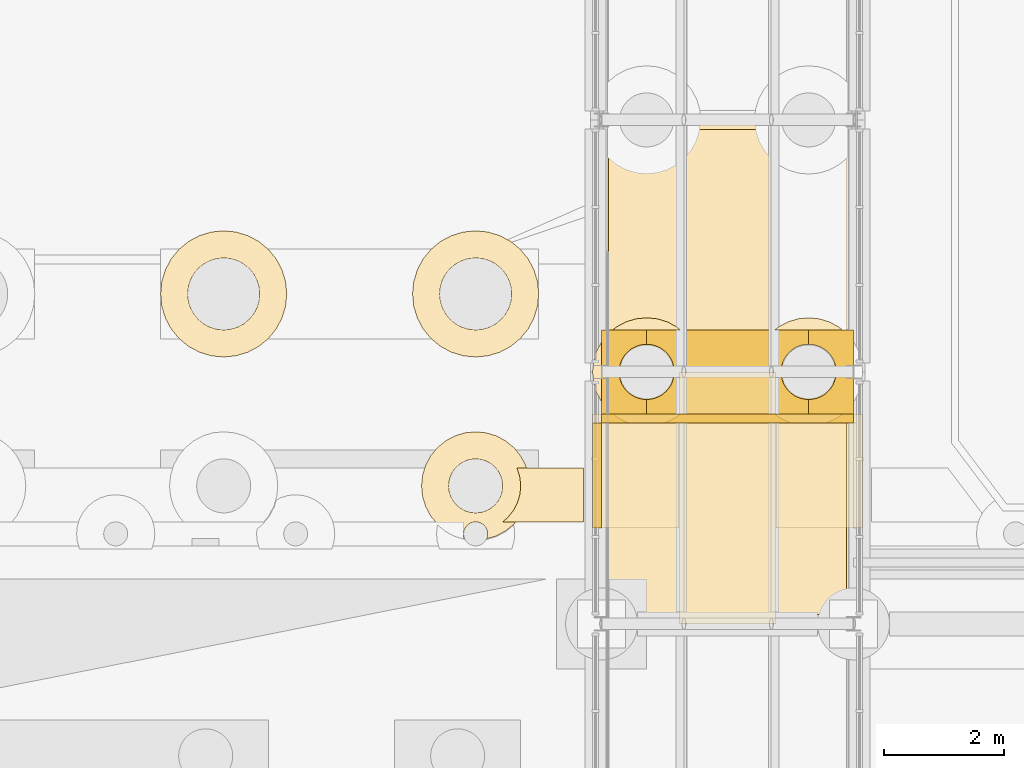
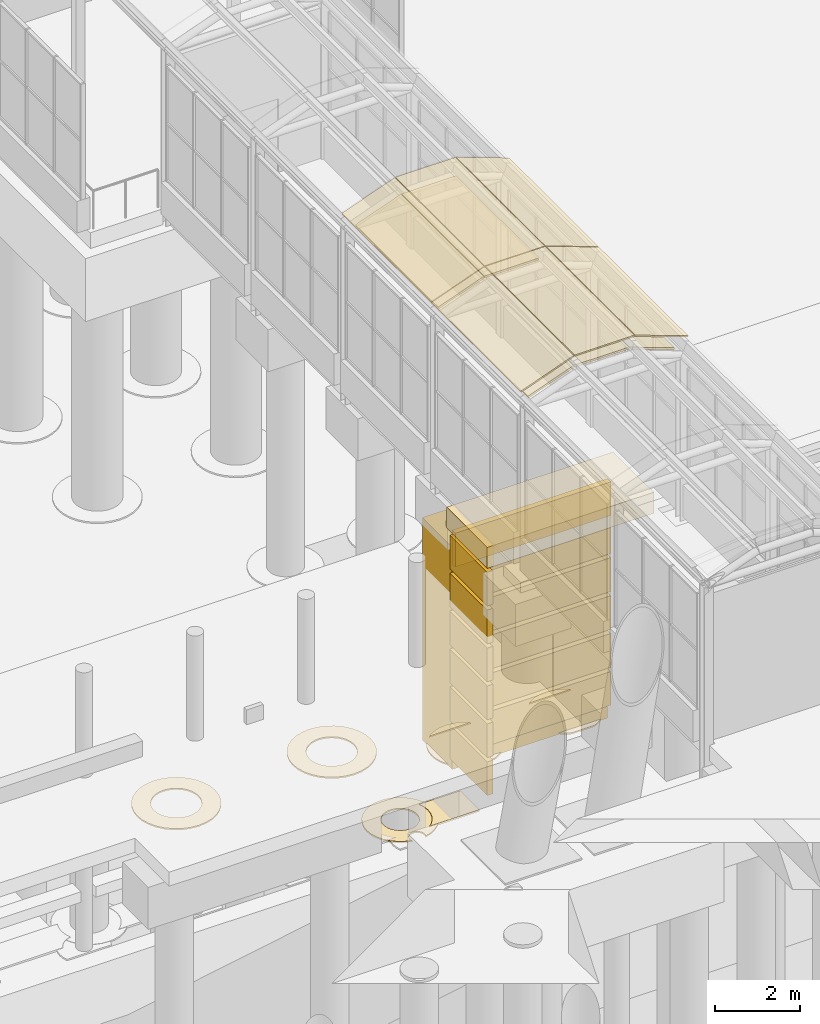
# One storey, part 187 of 222: 36 coverings.
"""IFC4 building model written with IfcOpenShell, lengths in metres."""

from ifc_helpers import new_model, si_unit, direction, frame, origin, place, context, subcontext, project, spatial, polyline, outline, extrude, material, layer, layer_set, type_object, element, save


model = new_model("IFC4")

# Units and contexts
model_context = context("Model", 3, precision=1e-05, world=origin(), true_north=direction((0.0, 1.0)))
body_context = subcontext(model_context, "Body", "Model", "MODEL_VIEW")
ifc_project = project(units=[si_unit("LENGTHUNIT", "METRE"), si_unit("AREAUNIT", "SQUARE_METRE"), si_unit("VOLUMEUNIT", "CUBIC_METRE"), si_unit("PLANEANGLEUNIT", "RADIAN"), si_unit("MASSUNIT", "GRAM", prefix="KILO")], contexts=[model_context])

# Site, building, storey
site_placement = place(None, origin())
site = spatial("IfcSite", under=ifc_project, at=site_placement, CompositionType="ELEMENT")
building_placement = place(site_placement, origin())
building = spatial("IfcBuilding", under=site, at=building_placement, Name="Sava Quay Ferry Terminal", CompositionType="ELEMENT")
storey_placement = place(building_placement, origin())
storey = spatial("IfcBuildingStorey", under=building, at=storey_placement, Name="L00", CompositionType="ELEMENT", Elevation=0.0)

# Coverings
ifc_material_1 = material(Name="Limestone ashlar", Category="masonry")
ifc_layer_1 = layer(ifc_material_1, 6.35009765625)
ifc_layer_set_1 = layer_set([ifc_layer_1], Name="Limestone ashlar")
covering_type_1 = type_object("IfcCoveringType", Name="Bridge abutment pier 1.65 m", PredefinedType="CLADDING", material=ifc_layer_set_1)
covering_1_placement = place(storey_placement, frame((0.0, 0.0, -8.0)))
element("IfcCovering", 1, at=covering_1_placement, inside=storey, type_object=covering_type_1, Name="Bridge abutment pier", PredefinedType="CLADDING", context=body_context, shape_type="SweptSolid", body=[
    extrude(outline(polyline([(75.60009765625, 122.5), (75.60009765625, 121.10009765625), (76.35009765625, 121.10009765625), (76.35009765625, 121.340087890625), (76.304931640625, 121.342041015625), (76.260009765625, 121.34912109375), (76.216064453125, 121.360107421875), (76.174072265625, 121.375), (76.133056640625, 121.39404296875), (76.093994140625, 121.41796875), (76.05810546875, 121.444091796875), (76.02490234375, 121.47509765625), (75.993896484375, 121.508056640625), (75.968017578125, 121.5439453125), (75.944091796875, 121.5830078125), (75.925048828125, 121.6240234375), (75.909912109375, 121.666015625), (75.89892578125, 121.7099609375), (75.89208984375, 121.7548828125), (75.889892578125, 121.800048828125), (75.89208984375, 121.844970703125), (75.89892578125, 121.889892578125), (75.909912109375, 121.93408203125), (75.925048828125, 121.97607421875), (75.944091796875, 122.01708984375), (75.968017578125, 122.055908203125), (75.993896484375, 122.092041015625), (76.02490234375, 122.125), (76.05810546875, 122.156005859375), (76.093994140625, 122.181884765625), (76.133056640625, 122.2060546875), (76.174072265625, 122.22509765625), (76.216064453125, 122.239990234375), (76.260009765625, 122.2509765625), (76.304931640625, 122.258056640625), (76.35009765625, 122.260009765625), (76.35009765625, 122.5), (75.60009765625, 122.5)])), origin(), (0.0, 0.0, 1.0), 6.35009765625),
])
covering_2_placement = place(storey_placement, frame((0.0, 0.0, -8.0)))
element("IfcCovering", 2, at=covering_2_placement, inside=storey, type_object=covering_type_1, Name="Bridge abutment pier", PredefinedType="CLADDING", context=body_context, shape_type="SweptSolid", body=[
    extrude(outline(polyline([(76.35009765625, 121.10009765625), (79.050048828125, 121.10009765625), (79.050048828125, 121.340087890625), (79.0048828125, 121.342041015625), (78.9599609375, 121.34912109375), (78.916015625, 121.360107421875), (78.8740234375, 121.375), (78.8330078125, 121.39404296875), (78.7939453125, 121.41796875), (78.758056640625, 121.444091796875), (78.72509765625, 121.47509765625), (78.694091796875, 121.508056640625), (78.66796875, 121.5439453125), (78.64404296875, 121.5830078125), (78.625, 121.6240234375), (78.610107421875, 121.666015625), (78.59912109375, 121.7099609375), (78.592041015625, 121.7548828125), (78.590087890625, 121.800048828125), (78.592041015625, 121.844970703125), (78.59912109375, 121.889892578125), (78.610107421875, 121.93408203125), (78.625, 121.97607421875), (78.64404296875, 122.01708984375), (78.66796875, 122.055908203125), (78.694091796875, 122.092041015625), (78.72509765625, 122.125), (78.758056640625, 122.156005859375), (78.7939453125, 122.181884765625), (78.8330078125, 122.2060546875), (78.8740234375, 122.22509765625), (78.916015625, 122.239990234375), (78.9599609375, 122.2509765625), (79.0048828125, 122.258056640625), (79.050048828125, 122.260009765625), (79.050048828125, 122.5), (76.35009765625, 122.5), (76.35009765625, 122.260009765625), (76.39501953125, 122.258056640625), (76.43994140625, 122.2509765625), (76.48388671875, 122.239990234375), (76.52587890625, 122.22509765625), (76.56689453125, 122.2060546875), (76.60595703125, 122.181884765625), (76.64208984375, 122.156005859375), (76.675048828125, 122.125), (76.7060546875, 122.092041015625), (76.73193359375, 122.055908203125), (76.756103515625, 122.01708984375), (76.77490234375, 121.97607421875), (76.7900390625, 121.93408203125), (76.801025390625, 121.889892578125), (76.80810546875, 121.844970703125), (76.81005859375, 121.800048828125), (76.80810546875, 121.7548828125), (76.801025390625, 121.7099609375), (76.7900390625, 121.666015625), (76.77490234375, 121.6240234375), (76.756103515625, 121.5830078125), (76.73193359375, 121.5439453125), (76.7060546875, 121.508056640625), (76.675048828125, 121.47509765625), (76.64208984375, 121.444091796875), (76.60595703125, 121.41796875), (76.56689453125, 121.39404296875), (76.52587890625, 121.375), (76.48388671875, 121.360107421875), (76.43994140625, 121.34912109375), (76.39501953125, 121.342041015625), (76.35009765625, 121.340087890625), (76.35009765625, 121.10009765625)])), origin(), (0.0, 0.0, 1.0), 6.35009765625),
])
covering_3_placement = place(storey_placement, frame((0.0, 0.0, -8.0)))
element("IfcCovering", 3, at=covering_3_placement, inside=storey, type_object=covering_type_1, Name="Bridge abutment pier", PredefinedType="CLADDING", context=body_context, shape_type="SweptSolid", body=[
    extrude(outline(polyline([(79.800048828125, 121.10009765625), (79.800048828125, 122.5), (79.050048828125, 122.5), (79.050048828125, 122.260009765625), (79.094970703125, 122.258056640625), (79.139892578125, 122.2509765625), (79.18408203125, 122.239990234375), (79.22607421875, 122.22509765625), (79.26708984375, 122.2060546875), (79.305908203125, 122.181884765625), (79.342041015625, 122.156005859375), (79.375, 122.125), (79.406005859375, 122.092041015625), (79.431884765625, 122.055908203125), (79.4560546875, 122.01708984375), (79.47509765625, 121.97607421875), (79.489990234375, 121.93408203125), (79.5009765625, 121.889892578125), (79.508056640625, 121.844970703125), (79.510009765625, 121.800048828125), (79.508056640625, 121.7548828125), (79.5009765625, 121.7099609375), (79.489990234375, 121.666015625), (79.47509765625, 121.6240234375), (79.4560546875, 121.5830078125), (79.431884765625, 121.5439453125), (79.406005859375, 121.508056640625), (79.375, 121.47509765625), (79.342041015625, 121.444091796875), (79.305908203125, 121.41796875), (79.26708984375, 121.39404296875), (79.22607421875, 121.375), (79.18408203125, 121.360107421875), (79.139892578125, 121.34912109375), (79.094970703125, 121.342041015625), (79.050048828125, 121.340087890625), (79.050048828125, 121.10009765625), (79.800048828125, 121.10009765625)])), origin(), (0.0, 0.0, 1.0), 6.35009765625),
])
ifc_material_2 = material(Name="Glulam GL28h", Category="wood")
ifc_layer_2 = layer(ifc_material_2, 0.06005859375)
ifc_layer_set_2 = layer_set([ifc_layer_2], Name="Glulam GL28h")
covering_type_2 = type_object("IfcCoveringType", Name="Glulam soffit lining 60", PredefinedType="CEILING", material=ifc_layer_set_2)
covering_4_placement = place(storey_placement, frame((75.71728515625, 117.760009765625, 4.645751953125), z_axis=(-0.342028329159, 0.0, 0.939689641346), x_axis=(0.939689641346, 0.0, 0.342028329159)))
element("IfcCovering", 4, at=covering_4_placement, inside=storey, type_object=covering_type_2, Name="Boarding gallery B2 timber soffit lining bay 3 facet 1", PredefinedType="CEILING", context=body_context, shape_type="SweptSolid", body=[
    extrude(outline(polyline([(0.0, 0.0), (1.3055444975084805, 0.0), (1.3055444975084805, 3.8798828125), (0.0, 3.8798828125), (0.0, 0.0)])), origin(), (0.0, 0.0, -1.0), 0.06005859375),
])
covering_5_placement = place(storey_placement, frame((76.963623046875, 117.760009765625, 5.095703125), z_axis=(0.0, 0.0, 1.0), x_axis=(1.0, 0.0, 0.0)))
element("IfcCovering", 5, at=covering_5_placement, inside=storey, type_object=covering_type_2, Name="Boarding gallery B2 timber soffit lining bay 3 facet 2", PredefinedType="CEILING", context=body_context, shape_type="SweptSolid", body=[
    extrude(outline(polyline([(0.0, 0.0), (1.472900390625, 0.0), (1.472900390625, 3.8798828125), (0.0, 3.8798828125), (0.0, 0.0)])), origin(), (0.0, 0.0, -1.0), 0.06005859375),
])
covering_6_placement = place(storey_placement, frame((78.455810546875, 117.760009765625, 5.09228515625), z_axis=(0.341968236193, 0.0, 0.939711511814), x_axis=(0.939711511814, 0.0, -0.341968236193)))
element("IfcCovering", 6, at=covering_6_placement, inside=storey, type_object=covering_type_2, Name="Boarding gallery B2 timber soffit lining bay 3 facet 3", PredefinedType="CEILING", context=body_context, shape_type="SweptSolid", body=[
    extrude(outline(polyline([(0.0, 0.0), (1.305773916594794, 0.0), (1.305773916594794, 3.8798828125), (0.0, 3.8798828125), (0.0, 0.0)])), origin(), (0.0, 0.0, -1.0), 0.06005859375),
])
covering_7_placement = place(storey_placement, frame((75.71728515625, 121.9599609375, 4.645751953125), z_axis=(-0.342028329159, 0.0, 0.939689641346), x_axis=(0.939689641346, 0.0, 0.342028329159)))
element("IfcCovering", 7, at=covering_7_placement, inside=storey, type_object=covering_type_2, Name="Boarding gallery B2 timber soffit lining bay 4 facet 1", PredefinedType="CEILING", context=body_context, shape_type="SweptSolid", body=[
    extrude(outline(polyline([(0.0, 0.0), (1.3055444975084805, 0.0), (1.3055444975084805, 3.880126953125001), (0.0, 3.880126953125001), (0.0, 0.0)])), origin(), (0.0, 0.0, -1.0), 0.06005859375),
])
covering_8_placement = place(storey_placement, frame((76.963623046875, 121.9599609375, 5.095703125), z_axis=(0.0, 0.0, 1.0), x_axis=(1.0, 0.0, 0.0)))
element("IfcCovering", 8, at=covering_8_placement, inside=storey, type_object=covering_type_2, Name="Boarding gallery B2 timber soffit lining bay 4 facet 2", PredefinedType="CEILING", context=body_context, shape_type="SweptSolid", body=[
    extrude(outline(polyline([(0.0, 0.0), (1.472900390625, 0.0), (1.472900390625, 3.880126953125), (0.0, 3.880126953125), (0.0, 0.0)])), origin(), (0.0, 0.0, -1.0), 0.06005859375),
])
ifc_material_3 = material(Name="Limestone Mutalj", Category="masonry")
ifc_layer_3 = layer(ifc_material_3, 0.35009765625)
ifc_layer_set_3 = layer_set([ifc_layer_3], Name="Limestone Mutalj")
covering_type_3 = type_object("IfcCoveringType", Name="Quay wall cornice 350", PredefinedType="MOLDING", material=ifc_layer_set_3)
covering_9_placement = place(storey_placement, frame((0.0, 0.0, -1.050048828125)))
element("IfcCovering", 9, at=covering_9_placement, inside=storey, type_object=covering_type_3, Name="Quay wall cornice", PredefinedType="MOLDING", context=body_context, shape_type="SweptSolid", body=[
    extrude(outline(polyline([(75.449951171875, 119.199951171875), (79.949951171875, 119.199951171875), (79.949951171875, 121.10009765625), (75.449951171875, 121.10009765625), (75.449951171875, 119.199951171875)])), origin(), (0.0, 0.0, 1.0), 0.60009765625),
])
ifc_material_4 = material(Name="Water")
ifc_layer_4 = layer(ifc_material_4, 0.0400390625)
ifc_layer_set_4 = layer_set([ifc_layer_4], Name="Water")
covering_type_4 = type_object("IfcCoveringType", Name="River foam collar", PredefinedType="CLADDING", material=ifc_layer_set_4)
covering_10_placement = place(storey_placement, frame((0.0, 0.0, -8.0)))
element("IfcCovering", 10, at=covering_10_placement, inside=storey, type_object=covering_type_4, Name="River foam collar", PredefinedType="CLADDING", context=body_context, shape_type="SweptSolid", body=[
    extrude(outline(polyline([(76.05908203125, 120.949951171875), (76.64111328125, 120.949951171875), (76.695068359375, 120.966064453125), (76.85107421875, 121.050048828125), (76.912109375, 121.10009765625), (75.7880859375, 121.10009765625), (75.84912109375, 121.050048828125), (76.0048828125, 120.966064453125), (76.05908203125, 120.949951171875)])), origin(), (0.0, 0.0, 1.0), 0.0400390625),
])
covering_11_placement = place(storey_placement, frame((0.0, 0.0, -8.0)))
element("IfcCovering", 11, at=covering_11_placement, inside=storey, type_object=covering_type_4, Name="River foam collar", PredefinedType="CLADDING", context=body_context, shape_type="SweptSolid", body=[
    extrude(outline(polyline([(75.447998046875, 121.800048828125), (75.465087890625, 121.6240234375), (75.51611328125, 121.455078125), (75.60009765625, 121.299072265625), (75.60009765625, 122.301025390625), (75.51611328125, 122.14501953125), (75.465087890625, 121.97607421875), (75.447998046875, 121.800048828125)])), origin(), (0.0, 0.0, 1.0), 0.0400390625),
])
covering_12_placement = place(storey_placement, frame((0.0, 0.0, -8.0)))
element("IfcCovering", 12, at=covering_12_placement, inside=storey, type_object=covering_type_4, Name="River foam collar", PredefinedType="CLADDING", context=body_context, shape_type="SweptSolid", body=[
    extrude(outline(polyline([(76.174072265625, 122.68505859375), (76.0048828125, 122.634033203125), (75.84912109375, 122.550048828125), (75.7880859375, 122.5), (76.912109375, 122.5), (76.85107421875, 122.550048828125), (76.695068359375, 122.634033203125), (76.52587890625, 122.68505859375), (76.35009765625, 122.701904296875), (76.174072265625, 122.68505859375)])), origin(), (0.0, 0.0, 1.0), 0.0400390625),
])
covering_13_placement = place(storey_placement, frame((0.0, 0.0, -8.0)))
element("IfcCovering", 13, at=covering_13_placement, inside=storey, type_object=covering_type_4, Name="River foam collar", PredefinedType="CLADDING", context=body_context, shape_type="SweptSolid", body=[
    extrude(outline(polyline([(78.705078125, 120.966064453125), (78.759033203125, 120.949951171875), (79.341064453125, 120.949951171875), (79.39501953125, 120.966064453125), (79.551025390625, 121.050048828125), (79.612060546875, 121.10009765625), (78.488037109375, 121.10009765625), (78.549072265625, 121.050048828125), (78.705078125, 120.966064453125)])), origin(), (0.0, 0.0, 1.0), 0.0400390625),
])
covering_14_placement = place(storey_placement, frame((0.0, 0.0, -8.0)))
element("IfcCovering", 14, at=covering_14_placement, inside=storey, type_object=covering_type_4, Name="River foam collar", PredefinedType="CLADDING", context=body_context, shape_type="SweptSolid", body=[
    extrude(outline(polyline([(79.050048828125, 122.701904296875), (78.8740234375, 122.68505859375), (78.705078125, 122.634033203125), (78.549072265625, 122.550048828125), (78.488037109375, 122.5), (79.612060546875, 122.5), (79.551025390625, 122.550048828125), (79.39501953125, 122.634033203125), (79.22607421875, 122.68505859375), (79.050048828125, 122.701904296875)])), origin(), (0.0, 0.0, 1.0), 0.0400390625),
])
covering_15_placement = place(storey_placement, frame((0.0, 0.0, -8.0)))
element("IfcCovering", 15, at=covering_15_placement, inside=storey, type_object=covering_type_4, Name="River foam collar", PredefinedType="CLADDING", context=body_context, shape_type="SweptSolid", body=[
    extrude(outline(polyline([(73.155029296875, 120.73388671875), (72.9990234375, 120.64990234375), (72.862060546875, 120.5380859375), (72.75, 120.40087890625), (72.666015625, 120.2451171875), (72.614990234375, 120.075927734375), (72.597900390625, 119.89990234375), (72.614990234375, 119.72412109375), (72.666015625, 119.554931640625), (72.75, 119.39892578125), (72.862060546875, 119.261962890625), (72.9990234375, 119.14990234375), (73.155029296875, 119.06591796875), (73.319091796875, 119.01708984375), (73.31494140625, 119.02294921875), (73.303955078125, 119.06103515625), (73.300048828125, 119.10009765625), (73.303955078125, 119.138916015625), (73.31494140625, 119.177001953125), (73.333984375, 119.2109375), (73.35888671875, 119.240966796875), (73.388916015625, 119.26611328125), (73.423095703125, 119.284912109375), (73.4609375, 119.2958984375), (73.5, 119.300048828125), (73.5390625, 119.2958984375), (73.576904296875, 119.284912109375), (73.611083984375, 119.26611328125), (73.64111328125, 119.240966796875), (73.666015625, 119.2109375), (73.68505859375, 119.177001953125), (73.696044921875, 119.138916015625), (73.699951171875, 119.10009765625), (73.696044921875, 119.06103515625), (73.68505859375, 119.02294921875), (73.680908203125, 119.01708984375), (73.844970703125, 119.06591796875), (74.0009765625, 119.14990234375), (74.137939453125, 119.261962890625), (74.25, 119.39892578125), (74.333984375, 119.554931640625), (74.385009765625, 119.72412109375), (74.402099609375, 119.89990234375), (74.385009765625, 120.075927734375), (74.333984375, 120.2451171875), (74.25, 120.40087890625), (74.137939453125, 120.5380859375), (74.0009765625, 120.64990234375), (73.844970703125, 120.73388671875), (73.676025390625, 120.784912109375), (73.5, 120.802001953125), (73.323974609375, 120.784912109375), (73.155029296875, 120.73388671875)]), holes=[polyline([(73.327880859375, 120.31591796875), (73.412109375, 120.341064453125), (73.5, 120.35009765625), (73.587890625, 120.341064453125), (73.672119140625, 120.31591796875), (73.75, 120.27392578125), (73.818115234375, 120.218017578125), (73.8740234375, 120.14990234375), (73.916015625, 120.072021484375), (73.94091796875, 119.988037109375), (73.949951171875, 119.89990234375), (73.94091796875, 119.81201171875), (73.916015625, 119.72802734375), (73.8740234375, 119.64990234375), (73.818115234375, 119.58203125), (73.75, 119.52587890625), (73.672119140625, 119.48388671875), (73.587890625, 119.458984375), (73.5, 119.449951171875), (73.412109375, 119.458984375), (73.327880859375, 119.48388671875), (73.25, 119.52587890625), (73.181884765625, 119.58203125), (73.1259765625, 119.64990234375), (73.083984375, 119.72802734375), (73.05908203125, 119.81201171875), (73.050048828125, 119.89990234375), (73.05908203125, 119.988037109375), (73.083984375, 120.072021484375), (73.1259765625, 120.14990234375), (73.181884765625, 120.218017578125), (73.25, 120.27392578125), (73.327880859375, 120.31591796875)])]), origin(), (0.0, 0.0, 1.0), 0.0400390625),
])
covering_16_placement = place(storey_placement, frame((0.0, 0.0, -8.0)))
element("IfcCovering", 16, at=covering_16_placement, inside=storey, type_object=covering_type_4, Name="River foam collar", PredefinedType="CLADDING", context=body_context, shape_type="SweptSolid", body=[
    extrude(outline(polyline([(68.26806640625, 122.89501953125), (68.327880859375, 122.697021484375), (68.425048828125, 122.514892578125), (68.555908203125, 122.35595703125), (68.715087890625, 122.22509765625), (68.89697265625, 122.1279296875), (69.094970703125, 122.068115234375), (69.300048828125, 122.048095703125), (69.5048828125, 122.068115234375), (69.702880859375, 122.1279296875), (69.885009765625, 122.22509765625), (70.0439453125, 122.35595703125), (70.175048828125, 122.514892578125), (70.27197265625, 122.697021484375), (70.33203125, 122.89501953125), (70.35205078125, 123.10009765625), (70.33203125, 123.304931640625), (70.27197265625, 123.5029296875), (70.175048828125, 123.68505859375), (70.0439453125, 123.843994140625), (69.885009765625, 123.97509765625), (69.702880859375, 124.072021484375), (69.5048828125, 124.132080078125), (69.300048828125, 124.152099609375), (69.094970703125, 124.132080078125), (68.89697265625, 124.072021484375), (68.715087890625, 123.97509765625), (68.555908203125, 123.843994140625), (68.425048828125, 123.68505859375), (68.327880859375, 123.5029296875), (68.26806640625, 123.304931640625), (68.248046875, 123.10009765625), (68.26806640625, 122.89501953125)]), holes=[polyline([(68.7119140625, 123.217041015625), (68.74609375, 123.330078125), (68.801025390625, 123.43310546875), (68.8759765625, 123.52392578125), (68.967041015625, 123.59912109375), (69.070068359375, 123.654052734375), (69.18310546875, 123.68798828125), (69.300048828125, 123.699951171875), (69.4169921875, 123.68798828125), (69.530029296875, 123.654052734375), (69.633056640625, 123.59912109375), (69.72412109375, 123.52392578125), (69.799072265625, 123.43310546875), (69.85400390625, 123.330078125), (69.887939453125, 123.217041015625), (69.89990234375, 123.10009765625), (69.887939453125, 122.98291015625), (69.85400390625, 122.8701171875), (69.799072265625, 122.76708984375), (69.72412109375, 122.676025390625), (69.633056640625, 122.60107421875), (69.530029296875, 122.5458984375), (69.4169921875, 122.511962890625), (69.300048828125, 122.5), (69.18310546875, 122.511962890625), (69.070068359375, 122.5458984375), (68.967041015625, 122.60107421875), (68.8759765625, 122.676025390625), (68.801025390625, 122.76708984375), (68.74609375, 122.8701171875), (68.7119140625, 122.98291015625), (68.699951171875, 123.10009765625), (68.7119140625, 123.217041015625)])]), origin(), (0.0, 0.0, 1.0), 0.0400390625),
])
covering_17_placement = place(storey_placement, frame((0.0, 0.0, -8.0)))
element("IfcCovering", 17, at=covering_17_placement, inside=storey, type_object=covering_type_4, Name="River foam collar", PredefinedType="CLADDING", context=body_context, shape_type="SweptSolid", body=[
    extrude(outline(polyline([(72.447998046875, 123.10009765625), (72.468017578125, 122.89501953125), (72.528076171875, 122.697021484375), (72.625, 122.514892578125), (72.756103515625, 122.35595703125), (72.9150390625, 122.22509765625), (73.096923828125, 122.1279296875), (73.294921875, 122.068115234375), (73.5, 122.048095703125), (73.705078125, 122.068115234375), (73.903076171875, 122.1279296875), (74.0849609375, 122.22509765625), (74.243896484375, 122.35595703125), (74.375, 122.514892578125), (74.471923828125, 122.697021484375), (74.531982421875, 122.89501953125), (74.552001953125, 123.10009765625), (74.531982421875, 123.304931640625), (74.471923828125, 123.5029296875), (74.375, 123.68505859375), (74.243896484375, 123.843994140625), (74.0849609375, 123.97509765625), (73.903076171875, 124.072021484375), (73.705078125, 124.132080078125), (73.5, 124.152099609375), (73.294921875, 124.132080078125), (73.096923828125, 124.072021484375), (72.9150390625, 123.97509765625), (72.756103515625, 123.843994140625), (72.625, 123.68505859375), (72.528076171875, 123.5029296875), (72.468017578125, 123.304931640625), (72.447998046875, 123.10009765625)]), holes=[polyline([(72.89990234375, 123.10009765625), (72.912109375, 123.217041015625), (72.946044921875, 123.330078125), (73.0009765625, 123.43310546875), (73.075927734375, 123.52392578125), (73.1669921875, 123.59912109375), (73.27001953125, 123.654052734375), (73.383056640625, 123.68798828125), (73.5, 123.699951171875), (73.616943359375, 123.68798828125), (73.72998046875, 123.654052734375), (73.8330078125, 123.59912109375), (73.924072265625, 123.52392578125), (73.9990234375, 123.43310546875), (74.053955078125, 123.330078125), (74.087890625, 123.217041015625), (74.10009765625, 123.10009765625), (74.087890625, 122.98291015625), (74.053955078125, 122.8701171875), (73.9990234375, 122.76708984375), (73.924072265625, 122.676025390625), (73.8330078125, 122.60107421875), (73.72998046875, 122.5458984375), (73.616943359375, 122.511962890625), (73.5, 122.5), (73.383056640625, 122.511962890625), (73.27001953125, 122.5458984375), (73.1669921875, 122.60107421875), (73.075927734375, 122.676025390625), (73.0009765625, 122.76708984375), (72.946044921875, 122.8701171875), (72.912109375, 122.98291015625), (72.89990234375, 123.10009765625)])]), origin(), (0.0, 0.0, 1.0), 0.0400390625),
])
ifc_material_5 = material(Name="Water")
ifc_layer_5 = layer(ifc_material_5, 0.050048828125)
ifc_layer_set_5 = layer_set([ifc_layer_5], Name="Water")
covering_type_5 = type_object("IfcCoveringType", Name="River foam line", PredefinedType="CLADDING", material=ifc_layer_set_5)
covering_18_placement = place(storey_placement, frame((0.0, 0.0, -8.0)))
element("IfcCovering", 18, at=covering_18_placement, inside=storey, type_object=covering_type_5, Name="River foam line", PredefinedType="CLADDING", context=body_context, shape_type="SweptSolid", body=[
    extrude(outline(polyline([(75.300048828125, 120.199951171875), (74.18701171875, 120.199951171875), (74.202880859375, 120.158935546875), (74.22802734375, 120.074951171875), (74.236083984375, 120.0458984375), (74.239990234375, 120.01708984375), (74.2490234375, 119.928955078125), (74.25, 119.89990234375), (74.2490234375, 119.87109375), (74.239990234375, 119.782958984375), (74.236083984375, 119.75390625), (74.22802734375, 119.72509765625), (74.202880859375, 119.64111328125), (74.193115234375, 119.613037109375), (74.179931640625, 119.5859375), (74.138916015625, 119.509033203125), (74.1240234375, 119.48291015625), (74.10595703125, 119.4599609375), (74.050048828125, 119.39111328125), (74.030029296875, 119.3701171875), (74.009033203125, 119.35009765625), (73.955078125, 119.305908203125), (73.9580078125, 119.300048828125), (75.300048828125, 119.300048828125), (75.300048828125, 120.199951171875)])), origin(), (0.0, 0.0, 1.0), 0.050048828125),
])
ifc_material_6 = material(Name="Limestone Mutalj", Category="masonry")
ifc_layer_6 = layer(ifc_material_6, 0.050048828125)
ifc_layer_set_6 = layer_set([ifc_layer_6], Name="Limestone Mutalj")
covering_type_6 = type_object("IfcCoveringType", Name="Rustication course 250", PredefinedType="MOLDING", material=ifc_layer_set_6)
covering_19_placement = place(storey_placement, frame((0.0, 0.0, -7.5400390625)))
element("IfcCovering", 19, at=covering_19_placement, inside=storey, type_object=covering_type_6, Name="Rustication course", PredefinedType="MOLDING", context=body_context, shape_type="SweptSolid", body=[
    extrude(outline(polyline([(75.60009765625, 120.949951171875), (79.800048828125, 120.949951171875), (79.800048828125, 121.10009765625), (75.60009765625, 121.10009765625), (75.60009765625, 120.949951171875)])), origin(), (0.0, 0.0, 1.0), 0.96337890625),
])
covering_20_placement = place(storey_placement, frame((0.0, 0.0, -7.5400390625)))
element("IfcCovering", 20, at=covering_20_placement, inside=storey, type_object=covering_type_6, Name="Rustication course", PredefinedType="MOLDING", context=body_context, shape_type="SweptSolid", body=[
    extrude(outline(polyline([(75.449951171875, 119.199951171875), (75.60009765625, 119.199951171875), (75.60009765625, 120.949951171875), (75.449951171875, 120.949951171875), (75.449951171875, 119.199951171875)])), origin(), (0.0, 0.0, 1.0), 0.96337890625),
])
covering_21_placement = place(storey_placement, frame((0.0, 0.0, -6.456787109375)))
element("IfcCovering", 21, at=covering_21_placement, inside=storey, type_object=covering_type_6, Name="Rustication course", PredefinedType="MOLDING", context=body_context, shape_type="SweptSolid", body=[
    extrude(outline(polyline([(75.60009765625, 120.949951171875), (79.800048828125, 120.949951171875), (79.800048828125, 121.10009765625), (75.60009765625, 121.10009765625), (75.60009765625, 120.949951171875)])), origin(), (0.0, 0.0, 1.0), 0.96337890625),
])
covering_22_placement = place(storey_placement, frame((0.0, 0.0, -6.456787109375)))
element("IfcCovering", 22, at=covering_22_placement, inside=storey, type_object=covering_type_6, Name="Rustication course", PredefinedType="MOLDING", context=body_context, shape_type="SweptSolid", body=[
    extrude(outline(polyline([(75.449951171875, 119.199951171875), (75.60009765625, 119.199951171875), (75.60009765625, 120.949951171875), (75.449951171875, 120.949951171875), (75.449951171875, 119.199951171875)])), origin(), (0.0, 0.0, 1.0), 0.96337890625),
])
covering_23_placement = place(storey_placement, frame((0.0, 0.0, -5.373291015625)))
element("IfcCovering", 23, at=covering_23_placement, inside=storey, type_object=covering_type_6, Name="Rustication course", PredefinedType="MOLDING", context=body_context, shape_type="SweptSolid", body=[
    extrude(outline(polyline([(75.60009765625, 120.949951171875), (79.800048828125, 120.949951171875), (79.800048828125, 121.10009765625), (75.60009765625, 121.10009765625), (75.60009765625, 120.949951171875)])), origin(), (0.0, 0.0, 1.0), 0.96337890625),
])
covering_24_placement = place(storey_placement, frame((0.0, 0.0, -5.373291015625)))
element("IfcCovering", 24, at=covering_24_placement, inside=storey, type_object=covering_type_6, Name="Rustication course", PredefinedType="MOLDING", context=body_context, shape_type="SweptSolid", body=[
    extrude(outline(polyline([(75.449951171875, 119.199951171875), (75.60009765625, 119.199951171875), (75.60009765625, 120.949951171875), (75.449951171875, 120.949951171875), (75.449951171875, 119.199951171875)])), origin(), (0.0, 0.0, 1.0), 0.96337890625),
])
covering_25_placement = place(storey_placement, frame((0.0, 0.0, -4.2900390625)))
element("IfcCovering", 25, at=covering_25_placement, inside=storey, type_object=covering_type_6, Name="Rustication course", PredefinedType="MOLDING", context=body_context, shape_type="SweptSolid", body=[
    extrude(outline(polyline([(75.60009765625, 120.949951171875), (79.800048828125, 120.949951171875), (79.800048828125, 121.10009765625), (75.60009765625, 121.10009765625), (75.60009765625, 120.949951171875)])), origin(), (0.0, 0.0, 1.0), 0.96337890625),
])
covering_26_placement = place(storey_placement, frame((0.0, 0.0, -4.2900390625)))
element("IfcCovering", 26, at=covering_26_placement, inside=storey, type_object=covering_type_6, Name="Rustication course", PredefinedType="MOLDING", context=body_context, shape_type="SweptSolid", body=[
    extrude(outline(polyline([(75.449951171875, 119.199951171875), (75.60009765625, 119.199951171875), (75.60009765625, 120.949951171875), (75.449951171875, 120.949951171875), (75.449951171875, 119.199951171875)])), origin(), (0.0, 0.0, 1.0), 0.96337890625),
])
covering_27_placement = place(storey_placement, frame((0.0, 0.0, -3.206787109375)))
element("IfcCovering", 27, at=covering_27_placement, inside=storey, type_object=covering_type_6, Name="Rustication course", PredefinedType="MOLDING", context=body_context, shape_type="SweptSolid", body=[
    extrude(outline(polyline([(75.60009765625, 120.949951171875), (79.800048828125, 120.949951171875), (79.800048828125, 121.10009765625), (75.60009765625, 121.10009765625), (75.60009765625, 120.949951171875)])), origin(), (0.0, 0.0, 1.0), 0.96337890625),
])
covering_28_placement = place(storey_placement, frame((0.0, 0.0, -3.206787109375)))
element("IfcCovering", 28, at=covering_28_placement, inside=storey, type_object=covering_type_6, Name="Rustication course", PredefinedType="MOLDING", context=body_context, shape_type="SweptSolid", body=[
    extrude(outline(polyline([(75.449951171875, 119.199951171875), (75.60009765625, 119.199951171875), (75.60009765625, 120.949951171875), (75.449951171875, 120.949951171875), (75.449951171875, 119.199951171875)])), origin(), (0.0, 0.0, 1.0), 0.96337890625),
])
covering_29_placement = place(storey_placement, frame((0.0, 0.0, -2.123291015625)))
element("IfcCovering", 29, at=covering_29_placement, inside=storey, type_object=covering_type_6, Name="Rustication course", PredefinedType="MOLDING", context=body_context, shape_type="SweptSolid", body=[
    extrude(outline(polyline([(75.60009765625, 120.949951171875), (79.800048828125, 120.949951171875), (79.800048828125, 121.10009765625), (75.60009765625, 121.10009765625), (75.60009765625, 120.949951171875)])), origin(), (0.0, 0.0, 1.0), 0.96337890625),
])
covering_30_placement = place(storey_placement, frame((0.0, 0.0, -2.123291015625)))
element("IfcCovering", 30, at=covering_30_placement, inside=storey, type_object=covering_type_6, Name="Rustication course", PredefinedType="MOLDING", context=body_context, shape_type="SweptSolid", body=[
    extrude(outline(polyline([(75.449951171875, 119.199951171875), (75.60009765625, 119.199951171875), (75.60009765625, 120.949951171875), (75.449951171875, 120.949951171875), (75.449951171875, 119.199951171875)])), origin(), (0.0, 0.0, 1.0), 0.96337890625),
])
ifc_material_7 = material(Name="Zinc standing seam sheet")
ifc_layer_7 = layer(ifc_material_7, 0.0400390625)
ifc_layer_set_7 = layer_set([ifc_layer_7], Name="Zinc standing seam sheet")
covering_type_7 = type_object("IfcCoveringType", Name="Standing seam roofing 40", PredefinedType="ROOFING", material=ifc_layer_set_7)
covering_31_placement = place(storey_placement, frame((75.43603515625, 117.610107421875, 4.979736328125), z_axis=(-0.342089424704, 0.0, 0.939667401534), x_axis=(0.939667401534, 0.0, 0.342089424704)))
element("IfcCovering", 31, at=covering_31_placement, inside=storey, type_object=covering_type_7, Name="Boarding gallery B2 roofing bay 3 facet 1", PredefinedType="ROOFING", context=body_context, shape_type="SweptSolid", body=[
    extrude(outline(polyline([(0.0, 0.0), (1.5279778922638676, 0.0), (1.5279778922638676, 4.179931640625), (0.0, 4.179931640625), (0.0, 0.0)])), origin(), (0.0, 0.0, -1.0), 0.0400390625),
])
covering_32_placement = place(storey_placement, frame((76.891357421875, 117.610107421875, 5.505859375), z_axis=(0.0, 0.0, 1.0), x_axis=(1.0, 0.0, 0.0)))
element("IfcCovering", 32, at=covering_32_placement, inside=storey, type_object=covering_type_7, Name="Boarding gallery B2 roofing bay 3 facet 2", PredefinedType="ROOFING", context=body_context, shape_type="SweptSolid", body=[
    extrude(outline(polyline([(0.0, 0.0), (1.617431640625, 0.0), (1.617431640625, 4.179931640625), (0.0, 4.179931640625), (0.0, 0.0)])), origin(), (0.0, 0.0, -1.0), 0.0400390625),
])
for number, where, z_axis, x_axis, name in (
    (33, (78.528076171875, 117.610107421875, 5.50244140625), (0.342089424704, 0.0, 0.939667401534), (0.939667401534, 0.0, -0.342089424704), "Boarding gallery B2 roofing bay 3 facet 3"),
    (34, (75.43603515625, 121.81005859375, 4.979736328125), (-0.342089424704, 0.0, 0.939667401534), (0.939667401534, 0.0, 0.342089424704), "Boarding gallery B2 roofing bay 4 facet 1"),
):
    element("IfcCovering", number, at=place(storey_placement, frame(where, z_axis=z_axis, x_axis=x_axis)), inside=storey, type_object=covering_type_7, Name=name, PredefinedType="ROOFING", context=body_context, shape_type="SweptSolid", body=[
        extrude(outline(polyline([(0.0, 0.0), (1.5279778922638676, 0.0), (1.5279778922638676, 4.179931640625), (0.0, 4.179931640625), (0.0, 0.0)])), origin(), (0.0, 0.0, -1.0), 0.0400390625),
    ])
covering_33_placement = place(storey_placement, frame((76.891357421875, 121.81005859375, 5.505859375), z_axis=(0.0, 0.0, 1.0), x_axis=(1.0, 0.0, 0.0)))
element("IfcCovering", 35, at=covering_33_placement, inside=storey, type_object=covering_type_7, Name="Boarding gallery B2 roofing bay 4 facet 2", PredefinedType="ROOFING", context=body_context, shape_type="SweptSolid", body=[
    extrude(outline(polyline([(0.0, 0.0), (1.617431640625, 0.0), (1.617431640625, 4.179931640625), (0.0, 4.179931640625), (0.0, 0.0)])), origin(), (0.0, 0.0, -1.0), 0.0400390625),
])
covering_34_placement = place(storey_placement, frame((78.528076171875, 121.81005859375, 5.50244140625), z_axis=(0.342089424704, 0.0, 0.939667401534), x_axis=(0.939667401534, 0.0, -0.342089424704)))
element("IfcCovering", 36, at=covering_34_placement, inside=storey, type_object=covering_type_7, Name="Boarding gallery B2 roofing bay 4 facet 3", PredefinedType="ROOFING", context=body_context, shape_type="SweptSolid", body=[
    extrude(outline(polyline([(0.0, 0.0), (1.5279778922638676, 0.0), (1.5279778922638676, 4.179931640625), (0.0, 4.179931640625), (0.0, 0.0)])), origin(), (0.0, 0.0, -1.0), 0.0400390625),
])

save(model, "model.ifc")
